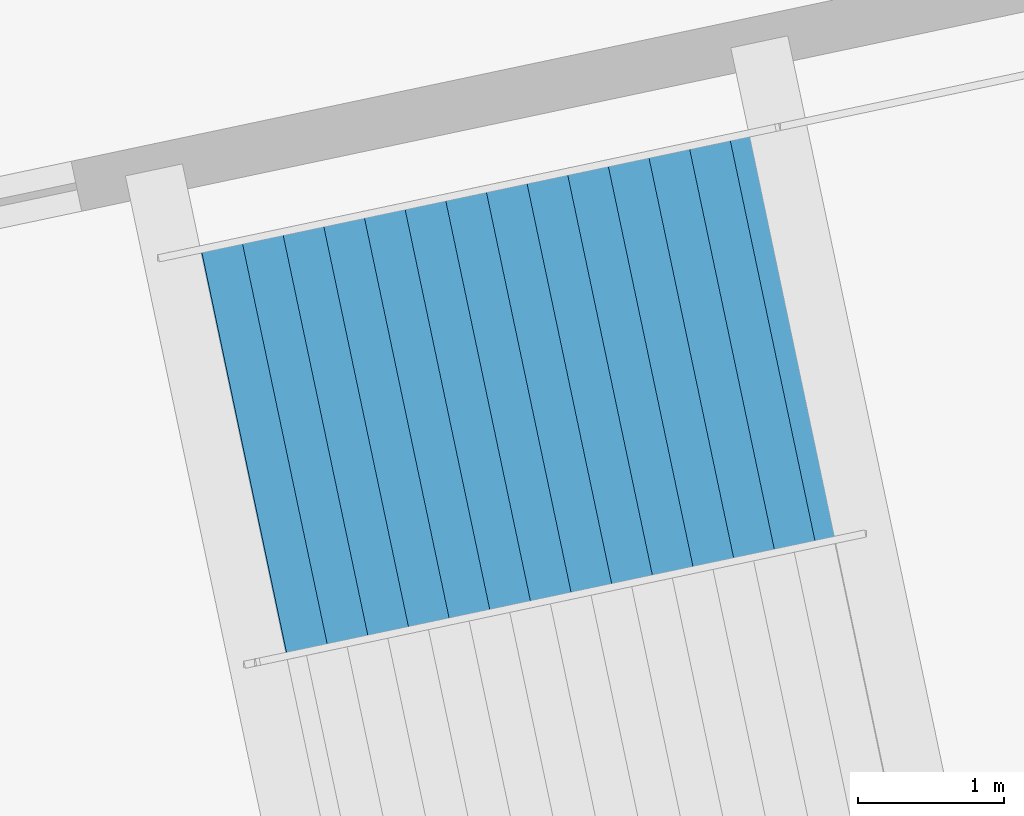
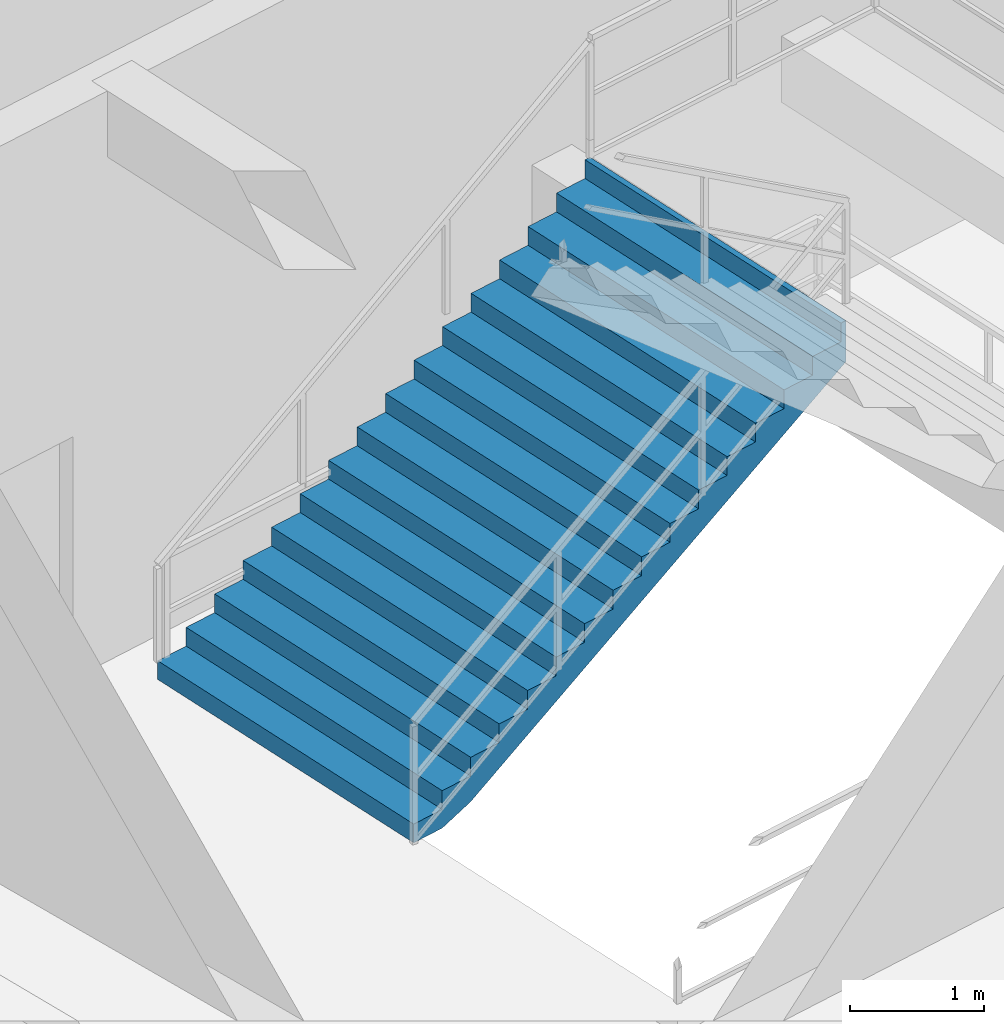
# One storey, part 150 of 186: 1 stair flight, 1 element without a shape of its own.
"""IFC4 building model written with IfcOpenShell, lengths in metres."""

from ifc_helpers import new_model, si_unit, direction, frame, origin, place, context, subcontext, project, spatial, polygons, material, type_object, element, aggregate, save


model = new_model("IFC4")

# Units and contexts
model_context = context("Model", 3, precision=1e-05, world=origin(), true_north=direction((0.0, 1.0)))
body_context = subcontext(model_context, "Body", "Model", "MODEL_VIEW")
ifc_project = project(units=[si_unit("LENGTHUNIT", "METRE"), si_unit("AREAUNIT", "SQUARE_METRE"), si_unit("VOLUMEUNIT", "CUBIC_METRE"), si_unit("PLANEANGLEUNIT", "RADIAN"), si_unit("MASSUNIT", "GRAM", prefix="KILO")], contexts=[model_context])

# Site, building, storey
site_placement = place(None, origin())
site = spatial("IfcSite", under=ifc_project, at=site_placement, CompositionType="ELEMENT")
building_placement = place(site_placement, origin())
building = spatial("IfcBuilding", under=site, at=building_placement, Name="Kazemori Nagisa Stadium", CompositionType="ELEMENT")
storey_placement = place(building_placement, frame((0.0, 0.0, 20.39990234375)))
storey = spatial("IfcBuildingStorey", under=building, at=storey_placement, Name="L04", CompositionType="ELEMENT", Elevation=20.39990234375)

# Stair, stair flight
ifc_material = material(Name="Concrete C36/45 (Fc36)", Category="concrete")
stair_type = type_object("IfcStairType", Name="Stair_CORE_32", PredefinedType="TWO_STRAIGHT_RUN_STAIR", material=ifc_material)
stair_placement = place(storey_placement, origin())
stair = element("IfcStair", 1, at=stair_placement, inside=storey, type_object=stair_type, Name="Exit stair ST06 L04", PredefinedType="TWO_STRAIGHT_RUN_STAIR")
stair_flight_type = type_object("IfcStairFlightType", Name="Flight_CORE_16", PredefinedType="STRAIGHT", material=ifc_material)
stair_flight_placement = place(storey_placement, frame((145.99365234375, 24.9423828125, 0.0), z_axis=(0.0, 0.0, 1.0), x_axis=(0.978336581214, 0.207020612159, 0.0)))
stair_flight = element("IfcStairFlight", 2, at=stair_flight_placement, type_object=stair_flight_type, Name="Exit stair ST06 L04 flight 1", NumberOfRisers=16, NumberOfTreads=15, PredefinedType="STRAIGHT", RiserHeight=0.17, TreadLength=0.285, context=body_context, shape_type="Tessellation", body=[
    polygons([(0.0, -1.425048828125, 0.0), (0.0, -1.425048828125, 0.169921875), (0.284912109375, -1.425048828125, 0.169921875), (0.284912109375, -1.425048828125, 0.340087890625), (0.570068359375, -1.425048828125, 0.340087890625), (0.570068359375, -1.425048828125, 0.510009765625), (0.85498046875, -1.425048828125, 0.510009765625), (0.85498046875, -1.425048828125, 0.679931640625), (1.139892578125, -1.425048828125, 0.679931640625), (1.139892578125, -1.425048828125, 0.85009765625), (1.425048828125, -1.425048828125, 0.85009765625), (1.425048828125, -1.425048828125, 1.02001953125), (1.7099609375, -1.425048828125, 1.02001953125), (1.7099609375, -1.425048828125, 1.18994140625), (1.9951171875, -1.425048828125, 1.18994140625), (1.9951171875, -1.425048828125, 1.360107421875), (2.280029296875, -1.425048828125, 1.360107421875), (2.280029296875, -1.425048828125, 1.530029296875), (2.56494140625, -1.425048828125, 1.530029296875), (2.56494140625, -1.425048828125, 1.699951171875), (2.85009765625, -1.425048828125, 1.699951171875), (2.85009765625, -1.425048828125, 1.8701171875), (3.135009765625, -1.425048828125, 1.8701171875), (3.135009765625, -1.425048828125, 2.0400390625), (3.419921875, -1.425048828125, 2.0400390625), (3.419921875, -1.425048828125, 2.2099609375), (3.705078125, -1.425048828125, 2.2099609375), (3.705078125, -1.425048828125, 2.3798828125), (3.989990234375, -1.425048828125, 2.3798828125), (3.989990234375, -1.425048828125, 2.550048828125), (4.27490234375, -1.425048828125, 2.550048828125), (4.27490234375, -1.425048828125, 2.719970703125), (4.324951171875, -1.425048828125, 2.719970703125), (4.324951171875, -1.425048828125, 2.346923828125), (4.27490234375, -1.425048828125, 2.317138671875), (3.989990234375, -1.425048828125, 2.147216796875), (3.705078125, -1.425048828125, 1.977294921875), (3.419921875, -1.425048828125, 1.80712890625), (3.135009765625, -1.425048828125, 1.63720703125), (2.85009765625, -1.425048828125, 1.46728515625), (2.56494140625, -1.425048828125, 1.297119140625), (2.280029296875, -1.425048828125, 1.127197265625), (1.9951171875, -1.425048828125, 0.957275390625), (1.7099609375, -1.425048828125, 0.787109375), (1.425048828125, -1.425048828125, 0.6171875), (1.139892578125, -1.425048828125, 0.447265625), (0.85498046875, -1.425048828125, 0.277099609375), (0.570068359375, -1.425048828125, 0.107177734375), (0.284912109375, -1.425048828125, 0.0), (0.0, -0.08544921875, 0.0), (0.0, -0.08544921875, 0.169921875), (0.284912109375, -0.08544921875, 0.169921875), (0.284912109375, -0.08544921875, 0.340087890625), (0.570068359375, -0.08544921875, 0.340087890625), (0.570068359375, -0.08544921875, 0.510009765625), (0.85498046875, -0.08544921875, 0.510009765625), (0.85498046875, -0.08544921875, 0.679931640625), (1.139892578125, -0.08544921875, 0.679931640625), (1.139892578125, -0.08544921875, 0.85009765625), (1.425048828125, -0.08544921875, 0.85009765625), (1.425048828125, -0.08544921875, 1.02001953125), (1.7099609375, -0.08544921875, 1.02001953125), (1.7099609375, -0.08544921875, 1.18994140625), (1.9951171875, -0.08544921875, 1.18994140625), (1.9951171875, -0.08544921875, 1.360107421875), (2.280029296875, -0.08544921875, 1.360107421875), (2.280029296875, -0.08544921875, 1.530029296875), (2.56494140625, -0.08544921875, 1.530029296875), (2.56494140625, -0.08544921875, 1.699951171875), (2.85009765625, -0.08544921875, 1.699951171875), (2.85009765625, -0.08544921875, 1.8701171875), (3.135009765625, -0.08544921875, 1.8701171875), (3.135009765625, -0.08544921875, 2.0400390625), (3.419921875, -0.08544921875, 2.0400390625), (3.419921875, -0.08544921875, 2.2099609375), (3.705078125, -0.08544921875, 2.2099609375), (3.705078125, -0.08544921875, 2.3798828125), (3.989990234375, -0.08544921875, 2.3798828125), (3.989990234375, -0.08544921875, 2.550048828125), (4.27490234375, -0.08544921875, 2.550048828125), (4.27490234375, -0.08544921875, 2.719970703125), (4.324951171875, -0.08544921875, 2.719970703125), (4.324951171875, -0.08544921875, 2.346923828125), (4.27490234375, -0.08544921875, 2.317138671875), (3.989990234375, -0.08544921875, 2.147216796875), (3.705078125, -0.08544921875, 1.977294921875), (3.419921875, -0.08544921875, 1.80712890625), (3.135009765625, -0.08544921875, 1.63720703125), (2.85009765625, -0.08544921875, 1.46728515625), (2.56494140625, -0.08544921875, 1.297119140625), (2.280029296875, -0.08544921875, 1.127197265625), (1.9951171875, -0.08544921875, 0.957275390625), (1.7099609375, -0.08544921875, 0.787109375), (1.425048828125, -0.08544921875, 0.6171875), (1.139892578125, -0.08544921875, 0.447265625), (0.85498046875, -0.08544921875, 0.277099609375), (0.570068359375, -0.08544921875, 0.107177734375), (0.284912109375, -0.08544921875, 0.0), (0.0, 0.0, 0.0), (0.0, 0.0, 0.169921875), (0.284912109375, 0.0, 0.169921875), (0.284912109375, 0.0, 0.340087890625), (0.570068359375, 0.0, 0.340087890625), (0.570068359375, 0.0, 0.510009765625), (0.85498046875, 0.0, 0.510009765625), (0.85498046875, 0.0, 0.679931640625), (1.139892578125, 0.0, 0.679931640625), (1.139892578125, 0.0, 0.85009765625), (1.425048828125, 0.0, 0.85009765625), (1.425048828125, 0.0, 1.02001953125), (1.7099609375, 0.0, 1.02001953125), (1.7099609375, 0.0, 1.18994140625), (1.9951171875, 0.0, 1.18994140625), (1.9951171875, 0.0, 1.360107421875), (2.280029296875, 0.0, 1.360107421875), (2.280029296875, 0.0, 1.530029296875), (2.56494140625, 0.0, 1.530029296875), (2.56494140625, 0.0, 1.699951171875), (2.85009765625, 0.0, 1.699951171875), (2.85009765625, 0.0, 1.8701171875), (3.135009765625, 0.0, 1.8701171875), (3.135009765625, 0.0, 2.0400390625), (3.419921875, 0.0, 2.0400390625), (3.419921875, 0.0, 2.2099609375), (3.705078125, 0.0, 2.2099609375), (3.705078125, 0.0, 2.3798828125), (3.989990234375, 0.0, 2.3798828125), (3.989990234375, 0.0, 2.550048828125), (4.27490234375, 0.0, 2.550048828125), (4.27490234375, 0.0, 2.719970703125), (4.324951171875, 0.0, 2.719970703125), (4.324951171875, 0.0, 2.346923828125), (4.27490234375, 0.0, 2.317138671875), (3.989990234375, 0.0, 2.147216796875), (3.705078125, 0.0, 1.977294921875), (3.419921875, 0.0, 1.80712890625), (3.135009765625, 0.0, 1.63720703125), (2.85009765625, 0.0, 1.46728515625), (2.56494140625, 0.0, 1.297119140625), (2.280029296875, 0.0, 1.127197265625), (1.9951171875, 0.0, 0.957275390625), (1.7099609375, 0.0, 0.787109375), (1.425048828125, 0.0, 0.6171875), (1.139892578125, 0.0, 0.447265625), (0.85498046875, 0.0, 0.277099609375), (0.570068359375, 0.0, 0.107177734375), (0.284912109375, 0.0, 0.0), (0.0, 0.08544921875, 0.0), (0.0, 0.08544921875, 0.169921875), (0.284912109375, 0.08544921875, 0.169921875), (0.284912109375, 0.08544921875, 0.340087890625), (0.570068359375, 0.08544921875, 0.340087890625), (0.570068359375, 0.08544921875, 0.510009765625), (0.85498046875, 0.08544921875, 0.510009765625), (0.85498046875, 0.08544921875, 0.679931640625), (1.139892578125, 0.08544921875, 0.679931640625), (1.139892578125, 0.08544921875, 0.85009765625), (1.425048828125, 0.08544921875, 0.85009765625), (1.425048828125, 0.08544921875, 1.02001953125), (1.7099609375, 0.08544921875, 1.02001953125), (1.7099609375, 0.08544921875, 1.18994140625), (1.9951171875, 0.08544921875, 1.18994140625), (1.9951171875, 0.08544921875, 1.360107421875), (2.280029296875, 0.08544921875, 1.360107421875), (2.280029296875, 0.08544921875, 1.530029296875), (2.56494140625, 0.08544921875, 1.530029296875), (2.56494140625, 0.08544921875, 1.699951171875), (2.85009765625, 0.08544921875, 1.699951171875), (2.85009765625, 0.08544921875, 1.8701171875), (3.135009765625, 0.08544921875, 1.8701171875), (3.135009765625, 0.08544921875, 2.0400390625), (3.419921875, 0.08544921875, 2.0400390625), (3.419921875, 0.08544921875, 2.2099609375), (3.705078125, 0.08544921875, 2.2099609375), (3.705078125, 0.08544921875, 2.3798828125), (3.989990234375, 0.08544921875, 2.3798828125), (3.989990234375, 0.08544921875, 2.550048828125), (4.27490234375, 0.08544921875, 2.550048828125), (4.27490234375, 0.08544921875, 2.719970703125), (4.324951171875, 0.08544921875, 2.719970703125), (4.324951171875, 0.08544921875, 2.346923828125), (4.27490234375, 0.08544921875, 2.317138671875), (3.989990234375, 0.08544921875, 2.147216796875), (3.705078125, 0.08544921875, 1.977294921875), (3.419921875, 0.08544921875, 1.80712890625), (3.135009765625, 0.08544921875, 1.63720703125), (2.85009765625, 0.08544921875, 1.46728515625), (2.56494140625, 0.08544921875, 1.297119140625), (2.280029296875, 0.08544921875, 1.127197265625), (1.9951171875, 0.08544921875, 0.957275390625), (1.7099609375, 0.08544921875, 0.787109375), (1.425048828125, 0.08544921875, 0.6171875), (1.139892578125, 0.08544921875, 0.447265625), (0.85498046875, 0.08544921875, 0.277099609375), (0.570068359375, 0.08544921875, 0.107177734375), (0.284912109375, 0.08544921875, 0.0), (0.0, 1.425048828125, 0.0), (0.0, 1.425048828125, 0.169921875), (0.284912109375, 1.425048828125, 0.169921875), (0.284912109375, 1.425048828125, 0.340087890625), (0.570068359375, 1.425048828125, 0.340087890625), (0.570068359375, 1.425048828125, 0.510009765625), (0.85498046875, 1.425048828125, 0.510009765625), (0.85498046875, 1.425048828125, 0.679931640625), (1.139892578125, 1.425048828125, 0.679931640625), (1.139892578125, 1.425048828125, 0.85009765625), (1.425048828125, 1.425048828125, 0.85009765625), (1.425048828125, 1.425048828125, 1.02001953125), (1.7099609375, 1.425048828125, 1.02001953125), (1.7099609375, 1.425048828125, 1.18994140625), (1.9951171875, 1.425048828125, 1.18994140625), (1.9951171875, 1.425048828125, 1.360107421875), (2.280029296875, 1.425048828125, 1.360107421875), (2.280029296875, 1.425048828125, 1.530029296875), (2.56494140625, 1.425048828125, 1.530029296875), (2.56494140625, 1.425048828125, 1.699951171875), (2.85009765625, 1.425048828125, 1.699951171875), (2.85009765625, 1.425048828125, 1.8701171875), (3.135009765625, 1.425048828125, 1.8701171875), (3.135009765625, 1.425048828125, 2.0400390625), (3.419921875, 1.425048828125, 2.0400390625), (3.419921875, 1.425048828125, 2.2099609375), (3.705078125, 1.425048828125, 2.2099609375), (3.705078125, 1.425048828125, 2.3798828125), (3.989990234375, 1.425048828125, 2.3798828125), (3.989990234375, 1.425048828125, 2.550048828125), (4.27490234375, 1.425048828125, 2.550048828125), (4.27490234375, 1.425048828125, 2.719970703125), (4.324951171875, 1.425048828125, 2.719970703125), (4.324951171875, 1.425048828125, 2.346923828125), (4.27490234375, 1.425048828125, 2.317138671875), (3.989990234375, 1.425048828125, 2.147216796875), (3.705078125, 1.425048828125, 1.977294921875), (3.419921875, 1.425048828125, 1.80712890625), (3.135009765625, 1.425048828125, 1.63720703125), (2.85009765625, 1.425048828125, 1.46728515625), (2.56494140625, 1.425048828125, 1.297119140625), (2.280029296875, 1.425048828125, 1.127197265625), (1.9951171875, 1.425048828125, 0.957275390625), (1.7099609375, 1.425048828125, 0.787109375), (1.425048828125, 1.425048828125, 0.6171875), (1.139892578125, 1.425048828125, 0.447265625), (0.85498046875, 1.425048828125, 0.277099609375), (0.570068359375, 1.425048828125, 0.107177734375), (0.284912109375, 1.425048828125, 0.0)], [[[1, 2, 51]], [[1, 51, 50]], [[2, 3, 52]], [[2, 52, 51]], [[3, 4, 53]], [[3, 53, 52]], [[4, 5, 54]], [[4, 54, 53]], [[5, 6, 55]], [[5, 55, 54]], [[6, 7, 56]], [[6, 56, 55]], [[7, 8, 57]], [[7, 57, 56]], [[8, 9, 58]], [[8, 58, 57]], [[9, 10, 59]], [[9, 59, 58]], [[10, 11, 60]], [[10, 60, 59]], [[11, 12, 61]], [[11, 61, 60]], [[12, 13, 62]], [[12, 62, 61]], [[13, 14, 63]], [[13, 63, 62]], [[14, 15, 64]], [[14, 64, 63]], [[15, 16, 65]], [[15, 65, 64]], [[16, 17, 66]], [[16, 66, 65]], [[17, 18, 67]], [[17, 67, 66]], [[18, 19, 68]], [[18, 68, 67]], [[19, 20, 69]], [[19, 69, 68]], [[20, 21, 70]], [[20, 70, 69]], [[21, 22, 71]], [[21, 71, 70]], [[22, 23, 72]], [[22, 72, 71]], [[23, 24, 73]], [[23, 73, 72]], [[24, 25, 74]], [[24, 74, 73]], [[25, 26, 75]], [[25, 75, 74]], [[26, 27, 76]], [[26, 76, 75]], [[27, 28, 77]], [[27, 77, 76]], [[28, 29, 78]], [[28, 78, 77]], [[29, 30, 79]], [[29, 79, 78]], [[30, 31, 80]], [[30, 80, 79]], [[31, 32, 81]], [[31, 81, 80]], [[32, 33, 82]], [[32, 82, 81]], [[33, 34, 83]], [[33, 83, 82]], [[34, 35, 84]], [[34, 84, 83]], [[35, 36, 85]], [[35, 85, 84]], [[36, 37, 86]], [[36, 86, 85]], [[37, 38, 87]], [[37, 87, 86]], [[38, 39, 88]], [[38, 88, 87]], [[39, 40, 89]], [[39, 89, 88]], [[40, 41, 90]], [[40, 90, 89]], [[41, 42, 91]], [[41, 91, 90]], [[42, 43, 92]], [[42, 92, 91]], [[43, 44, 93]], [[43, 93, 92]], [[44, 45, 94]], [[44, 94, 93]], [[45, 46, 95]], [[45, 95, 94]], [[46, 47, 96]], [[46, 96, 95]], [[47, 48, 97]], [[47, 97, 96]], [[48, 49, 98]], [[48, 98, 97]], [[49, 1, 50]], [[49, 50, 98]], [[50, 51, 100]], [[50, 100, 99]], [[51, 52, 101]], [[51, 101, 100]], [[52, 53, 102]], [[52, 102, 101]], [[53, 54, 103]], [[53, 103, 102]], [[54, 55, 104]], [[54, 104, 103]], [[55, 56, 105]], [[55, 105, 104]], [[56, 57, 106]], [[56, 106, 105]], [[57, 58, 107]], [[57, 107, 106]], [[58, 59, 108]], [[58, 108, 107]], [[59, 60, 109]], [[59, 109, 108]], [[60, 61, 110]], [[60, 110, 109]], [[61, 62, 111]], [[61, 111, 110]], [[62, 63, 112]], [[62, 112, 111]], [[63, 64, 113]], [[63, 113, 112]], [[64, 65, 114]], [[64, 114, 113]], [[65, 66, 115]], [[65, 115, 114]], [[66, 67, 116]], [[66, 116, 115]], [[67, 68, 117]], [[67, 117, 116]], [[68, 69, 118]], [[68, 118, 117]], [[69, 70, 119]], [[69, 119, 118]], [[70, 71, 120]], [[70, 120, 119]], [[71, 72, 121]], [[71, 121, 120]], [[72, 73, 122]], [[72, 122, 121]], [[73, 74, 123]], [[73, 123, 122]], [[74, 75, 124]], [[74, 124, 123]], [[75, 76, 125]], [[75, 125, 124]], [[76, 77, 126]], [[76, 126, 125]], [[77, 78, 127]], [[77, 127, 126]], [[78, 79, 128]], [[78, 128, 127]], [[79, 80, 129]], [[79, 129, 128]], [[80, 81, 130]], [[80, 130, 129]], [[81, 82, 131]], [[81, 131, 130]], [[82, 83, 132]], [[82, 132, 131]], [[83, 84, 133]], [[83, 133, 132]], [[84, 85, 134]], [[84, 134, 133]], [[85, 86, 135]], [[85, 135, 134]], [[86, 87, 136]], [[86, 136, 135]], [[87, 88, 137]], [[87, 137, 136]], [[88, 89, 138]], [[88, 138, 137]], [[89, 90, 139]], [[89, 139, 138]], [[90, 91, 140]], [[90, 140, 139]], [[91, 92, 141]], [[91, 141, 140]], [[92, 93, 142]], [[92, 142, 141]], [[93, 94, 143]], [[93, 143, 142]], [[94, 95, 144]], [[94, 144, 143]], [[95, 96, 145]], [[95, 145, 144]], [[96, 97, 146]], [[96, 146, 145]], [[97, 98, 147]], [[97, 147, 146]], [[98, 50, 99]], [[98, 99, 147]], [[99, 100, 149]], [[99, 149, 148]], [[100, 101, 150]], [[100, 150, 149]], [[101, 102, 151]], [[101, 151, 150]], [[102, 103, 152]], [[102, 152, 151]], [[103, 104, 153]], [[103, 153, 152]], [[104, 105, 154]], [[104, 154, 153]], [[105, 106, 155]], [[105, 155, 154]], [[106, 107, 156]], [[106, 156, 155]], [[107, 108, 157]], [[107, 157, 156]], [[108, 109, 158]], [[108, 158, 157]], [[109, 110, 159]], [[109, 159, 158]], [[110, 111, 160]], [[110, 160, 159]], [[111, 112, 161]], [[111, 161, 160]], [[112, 113, 162]], [[112, 162, 161]], [[113, 114, 163]], [[113, 163, 162]], [[114, 115, 164]], [[114, 164, 163]], [[115, 116, 165]], [[115, 165, 164]], [[116, 117, 166]], [[116, 166, 165]], [[117, 118, 167]], [[117, 167, 166]], [[118, 119, 168]], [[118, 168, 167]], [[119, 120, 169]], [[119, 169, 168]], [[120, 121, 170]], [[120, 170, 169]], [[121, 122, 171]], [[121, 171, 170]], [[122, 123, 172]], [[122, 172, 171]], [[123, 124, 173]], [[123, 173, 172]], [[124, 125, 174]], [[124, 174, 173]], [[125, 126, 175]], [[125, 175, 174]], [[126, 127, 176]], [[126, 176, 175]], [[127, 128, 177]], [[127, 177, 176]], [[128, 129, 178]], [[128, 178, 177]], [[129, 130, 179]], [[129, 179, 178]], [[130, 131, 180]], [[130, 180, 179]], [[131, 132, 181]], [[131, 181, 180]], [[132, 133, 182]], [[132, 182, 181]], [[133, 134, 183]], [[133, 183, 182]], [[134, 135, 184]], [[134, 184, 183]], [[135, 136, 185]], [[135, 185, 184]], [[136, 137, 186]], [[136, 186, 185]], [[137, 138, 187]], [[137, 187, 186]], [[138, 139, 188]], [[138, 188, 187]], [[139, 140, 189]], [[139, 189, 188]], [[140, 141, 190]], [[140, 190, 189]], [[141, 142, 191]], [[141, 191, 190]], [[142, 143, 192]], [[142, 192, 191]], [[143, 144, 193]], [[143, 193, 192]], [[144, 145, 194]], [[144, 194, 193]], [[145, 146, 195]], [[145, 195, 194]], [[146, 147, 196]], [[146, 196, 195]], [[147, 99, 148]], [[147, 148, 196]], [[148, 149, 198]], [[148, 198, 197]], [[149, 150, 199]], [[149, 199, 198]], [[150, 151, 200]], [[150, 200, 199]], [[151, 152, 201]], [[151, 201, 200]], [[152, 153, 202]], [[152, 202, 201]], [[153, 154, 203]], [[153, 203, 202]], [[154, 155, 204]], [[154, 204, 203]], [[155, 156, 205]], [[155, 205, 204]], [[156, 157, 206]], [[156, 206, 205]], [[157, 158, 207]], [[157, 207, 206]], [[158, 159, 208]], [[158, 208, 207]], [[159, 160, 209]], [[159, 209, 208]], [[160, 161, 210]], [[160, 210, 209]], [[161, 162, 211]], [[161, 211, 210]], [[162, 163, 212]], [[162, 212, 211]], [[163, 164, 213]], [[163, 213, 212]], [[164, 165, 214]], [[164, 214, 213]], [[165, 166, 215]], [[165, 215, 214]], [[166, 167, 216]], [[166, 216, 215]], [[167, 168, 217]], [[167, 217, 216]], [[168, 169, 218]], [[168, 218, 217]], [[169, 170, 219]], [[169, 219, 218]], [[170, 171, 220]], [[170, 220, 219]], [[171, 172, 221]], [[171, 221, 220]], [[172, 173, 222]], [[172, 222, 221]], [[173, 174, 223]], [[173, 223, 222]], [[174, 175, 224]], [[174, 224, 223]], [[175, 176, 225]], [[175, 225, 224]], [[176, 177, 226]], [[176, 226, 225]], [[177, 178, 227]], [[177, 227, 226]], [[178, 179, 228]], [[178, 228, 227]], [[179, 180, 229]], [[179, 229, 228]], [[180, 181, 230]], [[180, 230, 229]], [[181, 182, 231]], [[181, 231, 230]], [[182, 183, 232]], [[182, 232, 231]], [[183, 184, 233]], [[183, 233, 232]], [[184, 185, 234]], [[184, 234, 233]], [[185, 186, 235]], [[185, 235, 234]], [[186, 187, 236]], [[186, 236, 235]], [[187, 188, 237]], [[187, 237, 236]], [[188, 189, 238]], [[188, 238, 237]], [[189, 190, 239]], [[189, 239, 238]], [[190, 191, 240]], [[190, 240, 239]], [[191, 192, 241]], [[191, 241, 240]], [[192, 193, 242]], [[192, 242, 241]], [[193, 194, 243]], [[193, 243, 242]], [[194, 195, 244]], [[194, 244, 243]], [[195, 196, 245]], [[195, 245, 244]], [[196, 148, 197]], [[196, 197, 245]], [[3, 2, 1]], [[197, 198, 199]], [[49, 3, 1]], [[197, 199, 245]], [[48, 3, 49]], [[245, 199, 244]], [[5, 3, 48]], [[244, 199, 201]], [[5, 4, 3]], [[199, 200, 201]], [[47, 5, 48]], [[244, 201, 243]], [[7, 5, 47]], [[243, 201, 203]], [[7, 6, 5]], [[201, 202, 203]], [[46, 7, 47]], [[243, 203, 242]], [[9, 7, 46]], [[242, 203, 205]], [[9, 8, 7]], [[203, 204, 205]], [[45, 9, 46]], [[242, 205, 241]], [[11, 9, 45]], [[241, 205, 207]], [[11, 10, 9]], [[205, 206, 207]], [[44, 11, 45]], [[241, 207, 240]], [[13, 11, 44]], [[240, 207, 209]], [[13, 12, 11]], [[207, 208, 209]], [[43, 13, 44]], [[240, 209, 239]], [[15, 13, 43]], [[239, 209, 211]], [[15, 14, 13]], [[209, 210, 211]], [[42, 15, 43]], [[239, 211, 238]], [[17, 15, 42]], [[238, 211, 213]], [[17, 16, 15]], [[211, 212, 213]], [[41, 17, 42]], [[238, 213, 237]], [[19, 17, 41]], [[237, 213, 215]], [[19, 18, 17]], [[213, 214, 215]], [[40, 19, 41]], [[237, 215, 236]], [[21, 19, 40]], [[236, 215, 217]], [[21, 20, 19]], [[215, 216, 217]], [[39, 21, 40]], [[236, 217, 235]], [[23, 21, 39]], [[235, 217, 219]], [[23, 22, 21]], [[217, 218, 219]], [[38, 23, 39]], [[235, 219, 234]], [[25, 23, 38]], [[234, 219, 221]], [[25, 24, 23]], [[219, 220, 221]], [[37, 25, 38]], [[234, 221, 233]], [[27, 25, 37]], [[233, 221, 223]], [[27, 26, 25]], [[221, 222, 223]], [[36, 27, 37]], [[233, 223, 232]], [[29, 27, 36]], [[232, 223, 225]], [[29, 28, 27]], [[223, 224, 225]], [[35, 29, 36]], [[232, 225, 231]], [[31, 29, 35]], [[231, 225, 227]], [[31, 30, 29]], [[225, 226, 227]], [[34, 31, 35]], [[231, 227, 230]], [[33, 31, 34]], [[230, 227, 229]], [[33, 32, 31]], [[227, 228, 229]]], closed=True),
])
aggregate(stair, [stair_flight])

save(model, "model.ifc")
